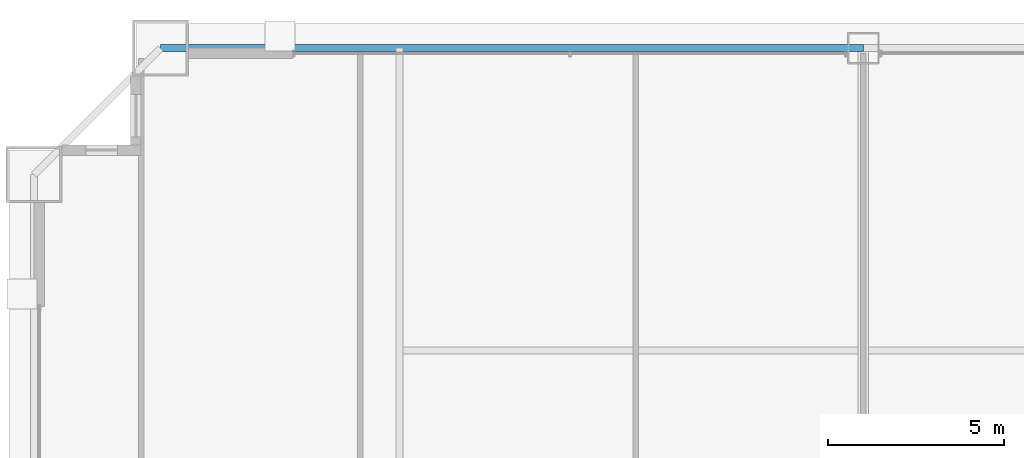
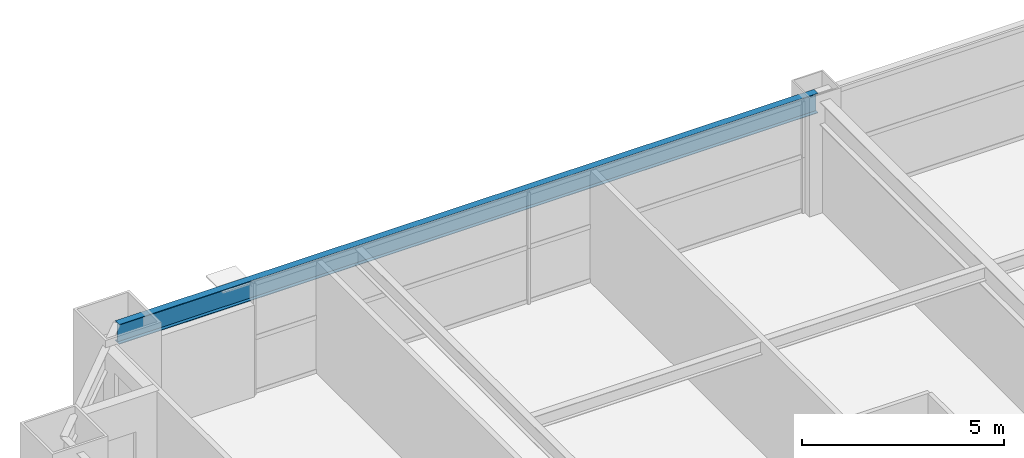
# One storey, part 24 of 39: 1 beam.
"""IFC4 building model written with IfcOpenShell, lengths in metres."""

from ifc_helpers import new_model, si_unit, direction, frame, origin, origin_2d, place, context, subcontext, project, spatial, i_section, extrude, source, transform, mapped, material, material_profile, profile_set, type_object, element, save


model = new_model("IFC4")

# Units and contexts
model_context = context("Model", 3, precision=1e-05, world=origin(), true_north=direction((0.0, 1.0)))
body_context = subcontext(model_context, "Body", "Model", "MODEL_VIEW")
ifc_project = project(units=[si_unit("LENGTHUNIT", "METRE"), si_unit("AREAUNIT", "SQUARE_METRE"), si_unit("VOLUMEUNIT", "CUBIC_METRE"), si_unit("PLANEANGLEUNIT", "RADIAN"), si_unit("MASSUNIT", "GRAM", prefix="KILO"), si_unit("THERMODYNAMICTEMPERATUREUNIT", "KELVIN"), si_unit("POWERUNIT", "WATT")], contexts=[model_context])

# Site, building, storey
site_placement = place(None, origin())
site = spatial("IfcSite", under=ifc_project, at=site_placement, CompositionType="ELEMENT")
building_placement = place(site_placement, origin())
building = spatial("IfcBuilding", under=site, at=building_placement, Name="Yuzanri Waterfront Tower", CompositionType="ELEMENT")
storey_placement = place(building_placement, frame((0.0, 0.0, 156.0)))
storey = spatial("IfcBuildingStorey", under=building, at=storey_placement, Name="L41", CompositionType="ELEMENT", Elevation=156.0)

# Beam
ifc_material = material(Name="Steel Q355B", Category="steel")
ifc_material_profile = material_profile(ifc_material, i_section(OverallWidth=0.199951171875, OverallDepth=0.60009765625, WebThickness=0.010986328125, FlangeThickness=0.01708984375, at=origin_2d()), Name="HN 600x200x11x17")
ifc_profile_set = profile_set([ifc_material_profile], Name="Steel Q355B")
beam_type = type_object("IfcBeamType", Name="Perimeter Spandrel Q355B HN 600x200", PredefinedType="SPANDREL", material=ifc_profile_set)
shared_shape = source(origin(), body_context, "Body", "SweptSolid", [
    extrude(i_section(OverallWidth=0.199951171875, OverallDepth=0.60009765625, WebThickness=0.010986328125, FlangeThickness=0.01708984375, at=origin_2d()), origin(), (0.0, 0.0, 1.0), 20.0),
])
beam_placement = place(storey_placement, frame((37.0, 49.39990234375, 3.080078125), z_axis=(-1.0, 0.0, 0.0), x_axis=(0.0, -1.0, 0.0)))
element("IfcBeam", 1, at=beam_placement, inside=storey, type_object=beam_type, Name="L41 Perimeter Spandrel N2-N1", PredefinedType="SPANDREL", context=body_context, shape_type="MappedRepresentation", body=[
    mapped(shared_shape, transform((0.0, 0.0, 0.0), scale=1.0)),
])

save(model, "model.ifc")
